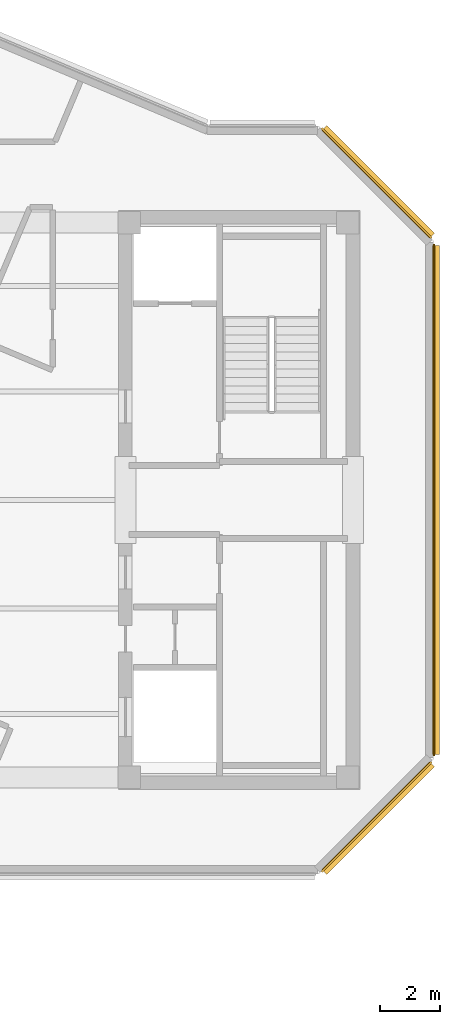
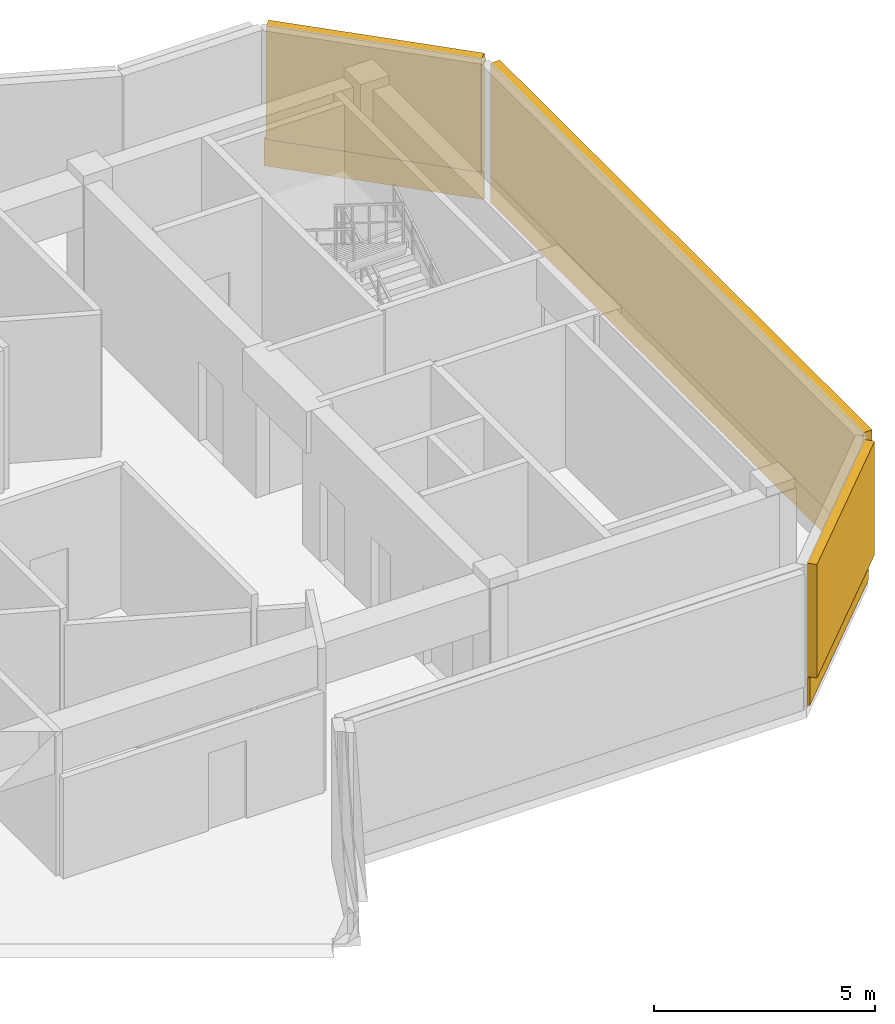
# One storey, part 5 of 5: 3 coverings, 3 shading devices.
"""IFC4 building model written with IfcOpenShell, lengths in metres."""

from ifc_helpers import new_model, si_unit, direction, frame, origin, origin_2d, place, context, subcontext, project, spatial, rectangle, extrude, source, transform, mapped, material, layer, layer_set, type_object, element, save


model = new_model("IFC4")

# Units and contexts
model_context = context("Model", 3, precision=1e-05, world=origin(), true_north=direction((0.0, 1.0)))
body_context = subcontext(model_context, "Body", "Model", "MODEL_VIEW")
ifc_project = project(units=[si_unit("LENGTHUNIT", "METRE"), si_unit("AREAUNIT", "SQUARE_METRE"), si_unit("VOLUMEUNIT", "CUBIC_METRE"), si_unit("PLANEANGLEUNIT", "RADIAN"), si_unit("MASSUNIT", "GRAM", prefix="KILO")], contexts=[model_context])

# Site, building, storey
site_placement = place(None, origin())
site = spatial("IfcSite", under=ifc_project, at=site_placement, CompositionType="ELEMENT")
building_placement = place(site_placement, origin())
building = spatial("IfcBuilding", under=site, at=building_placement, Name="Zahravan Cultural Tower", CompositionType="ELEMENT")
storey_placement = place(building_placement, frame((0.0, 0.0, 383.85009765625)))
storey = spatial("IfcBuildingStorey", under=building, at=storey_placement, Name="L93", CompositionType="ELEMENT", Elevation=383.85009765625)

# Coverings
ifc_material_1 = material(Name="Terracotta ceramic cladding", Category="masonry")
ifc_layer = layer(ifc_material_1, 0.06005859375)
ifc_layer_set = layer_set([ifc_layer], Name="Terracotta ceramic cladding")
covering_type = type_object("IfcCoveringType", Name="COV-CLAD-TC60", PredefinedType="CLADDING", material=ifc_layer_set)
shared_shape_1 = source(origin(), body_context, "Body", "SweptSolid", [
    extrude(rectangle(XDim=5.157958984375, YDim=0.06005859375, at=origin_2d()), origin(), (0.0, 0.0, 1.0), 0.760009765625),
])
for number, where, z_axis, x_axis, name in (
    (1, (51.310546875, 37.510498046875, 0.02001953125), (0.0, 0.0, 1.0), (0.707106781187, -0.707106781187, 0.0), "L93 Terracotta Spandrel Cladding 05"),
    (2, (51.310546875, 16.489501953125, 0.02001953125), (0.0, 0.0, 1.0), (-0.707106781187, -0.707106781187, 0.0), "L93 Terracotta Spandrel Cladding 07"),
):
    element("IfcCovering", number, at=place(storey_placement, frame(where, z_axis=z_axis, x_axis=x_axis)), inside=storey, type_object=covering_type, Name=name, PredefinedType="CLADDING", context=body_context, shape_type="MappedRepresentation", body=[
        mapped(shared_shape_1, transform((0.0, 0.0, 0.0), x_axis=(1.0, 0.0, 0.0), y_axis=(0.0, 1.0, 0.0), z_axis=(0.0, 0.0, 1.0), scale=1.0)),
    ])
shared_shape_2 = source(origin(), body_context, "Body", "SweptSolid", [
    extrude(rectangle(XDim=16.98388671875, YDim=0.06005859375, at=origin_2d()), origin(), (0.0, 0.0, 1.0), 0.760009765625),
])
covering_placement = place(storey_placement, frame((53.215087890625, 27.0, 0.02001953125), z_axis=(0.0, 0.0, 1.0), x_axis=(0.0, -1.0, 0.0)))
element("IfcCovering", 3, at=covering_placement, inside=storey, type_object=covering_type, Name="L93 Terracotta Spandrel Cladding 06", PredefinedType="CLADDING", context=body_context, shape_type="MappedRepresentation", body=[
    mapped(shared_shape_2, transform((0.0, 0.0, 0.0), x_axis=(1.0, 0.0, 0.0), y_axis=(0.0, 1.0, 0.0), z_axis=(0.0, 0.0, 1.0), scale=1.0)),
])

# Shading devices
ifc_material_2 = material(Name="Architectural terracotta fin", Category="masonry")
shading_device_type = type_object("IfcShadingDeviceType", Name="SHD-LOUVRE-BAND", PredefinedType="JALOUSIE", material=ifc_material_2)
shared_shape_3 = source(origin(), body_context, "Body", "SweptSolid", [
    extrude(rectangle(XDim=5.05810546875, YDim=0.239990234375, at=origin_2d()), origin(), (0.0, 0.0, 1.0), 3.139892578125),
])
for number, where, z_axis, x_axis, name in (
    (4, (51.356689453125, 37.556640625, 0.77978515625), (0.0, 0.0, 1.0), (0.707106781187, -0.707106781187, 0.0), "L93 Terracotta Acoustic Louvre 04"),
    (5, (51.356689453125, 16.443359375, 0.77978515625), (0.0, 0.0, 1.0), (-0.707106781187, -0.707106781187, 0.0), "L93 Terracotta Acoustic Louvre 06"),
):
    element("IfcShadingDevice", number, at=place(storey_placement, frame(where, z_axis=z_axis, x_axis=x_axis)), inside=storey, type_object=shading_device_type, Name=name, PredefinedType="JALOUSIE", context=body_context, shape_type="MappedRepresentation", body=[
        mapped(shared_shape_3, transform((0.0, 0.0, 0.0), x_axis=(1.0, 0.0, 0.0), y_axis=(0.0, 1.0, 0.0), z_axis=(0.0, 0.0, 1.0), scale=1.0)),
    ])
shared_shape_4 = source(origin(), body_context, "Body", "SweptSolid", [
    extrude(rectangle(XDim=16.884033203125, YDim=0.239990234375, at=origin_2d()), origin(), (0.0, 0.0, 1.0), 3.139892578125),
])
shading_device_placement = place(storey_placement, frame((53.280029296875, 27.0, 0.77978515625), z_axis=(0.0, 0.0, 1.0), x_axis=(0.0, -1.0, 0.0)))
element("IfcShadingDevice", 6, at=shading_device_placement, inside=storey, type_object=shading_device_type, Name="L93 Terracotta Acoustic Louvre 05", PredefinedType="JALOUSIE", context=body_context, shape_type="MappedRepresentation", body=[
    mapped(shared_shape_4, transform((0.0, 0.0, 0.0), x_axis=(1.0, 0.0, 0.0), y_axis=(0.0, 1.0, 0.0), z_axis=(0.0, 0.0, 1.0), scale=1.0)),
])

save(model, "model.ifc")
